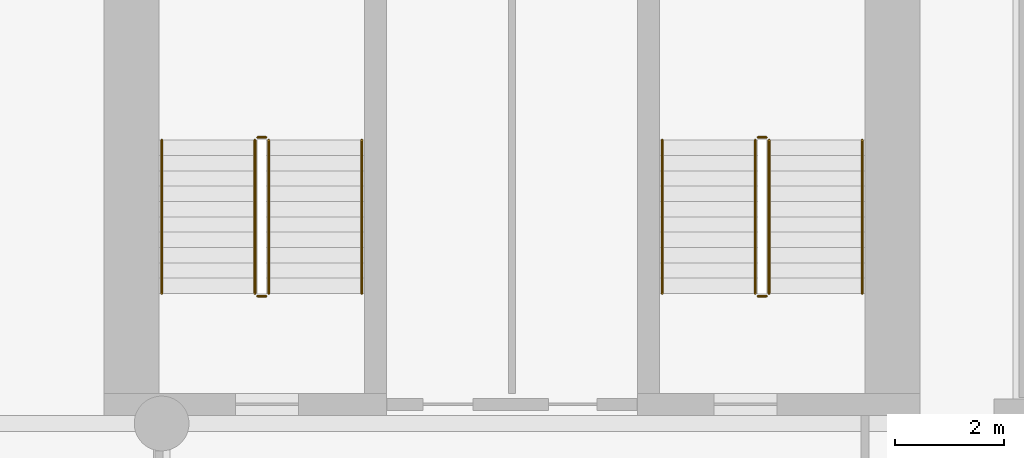
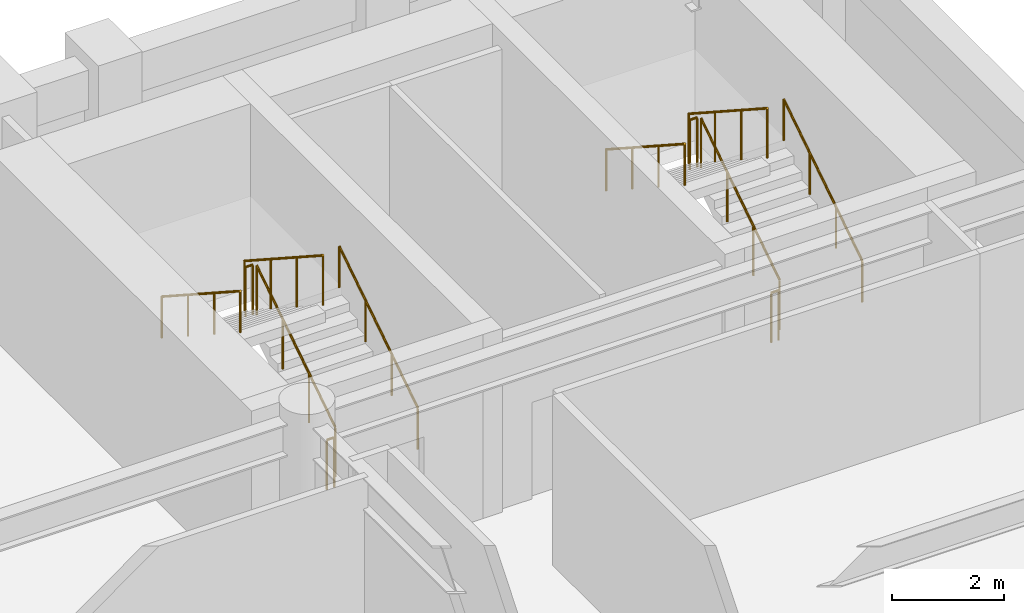
# One storey, part 10 of 10: 12 railings.
"""IFC4 building model written with IfcOpenShell, lengths in metres."""

from ifc_helpers import new_model, si_unit, direction, frame, origin, origin_2d, place, context, subcontext, project, spatial, circle, extrude, material, type_object, element, save


model = new_model("IFC4")

# Units and contexts
model_context = context("Model", 3, precision=1e-05, world=origin(), true_north=direction((0.0, 1.0)))
body_context = subcontext(model_context, "Body", "Model", "MODEL_VIEW")
ifc_project = project(units=[si_unit("LENGTHUNIT", "METRE"), si_unit("AREAUNIT", "SQUARE_METRE"), si_unit("VOLUMEUNIT", "CUBIC_METRE"), si_unit("PLANEANGLEUNIT", "RADIAN"), si_unit("MASSUNIT", "GRAM", prefix="KILO")], contexts=[model_context])

# Site, building, storey
site_placement = place(None, origin())
site = spatial("IfcSite", under=ifc_project, at=site_placement, CompositionType="ELEMENT")
building_placement = place(site_placement, origin())
building = spatial("IfcBuilding", under=site, at=building_placement, Name="Sulina Concourse Tower", CompositionType="ELEMENT")
storey_placement = place(building_placement, frame((0.0, 0.0, 54.60009765625)))
storey = spatial("IfcBuildingStorey", under=building, at=storey_placement, Name="L13", CompositionType="ELEMENT", Elevation=54.60009765625)

# Railings
ifc_material_1 = material(Name="Galvanised steel railing", Category="steel")
railing_type_1 = type_object("IfcRailingType", Name="Core Stair Steel Guardrail 1150mm", PredefinedType="GUARDRAIL", material=ifc_material_1)
railing_1_placement = place(storey_placement, frame((43.554931640625, 36.375, 0.181640625)))
element("IfcRailing", 1, at=railing_1_placement, inside=storey, type_object=railing_type_1, Name="L13 ST-3 stair guard 1", PredefinedType="GUARDRAIL", context=body_context, shape_type="SweptSolid", body=[
    extrude(circle(Radius=0.02392578125, at=origin_2d()), frame((0.0, 0.0, 1.076171875), z_axis=(0.0, 0.838672427954, 0.544636170843), x_axis=(-1.0, 0.0, 0.0)), (0.0, 0.0, 1.0), 3.338623046875),
    extrude(circle(Radius=0.02099609375, at=origin_2d()), origin(), (0.0, 0.0, 1.0), 1.052001953125),
    extrude(circle(Radius=0.02099609375, at=origin_2d()), frame((0.0, 0.933349609375, 0.606201171875)), (0.0, 0.0, 1.0), 1.052001953125),
    extrude(circle(Radius=0.02099609375, at=origin_2d()), frame((0.0, 1.86669921875, 1.212158203125)), (0.0, 0.0, 1.0), 1.052001953125),
    extrude(circle(Radius=0.02099609375, at=origin_2d()), frame((0.0, 2.800048828125, 1.818359375)), (0.0, 0.0, 1.0), 1.052001953125),
])
railing_2_placement = place(storey_placement, frame((43.5048828125, 39.22509765625, 2.0)))
element("IfcRailing", 2, at=railing_2_placement, inside=storey, type_object=railing_type_1, Name="L13 ST-3 stair guard 2", PredefinedType="GUARDRAIL", context=body_context, shape_type="SweptSolid", body=[
    extrude(circle(Radius=0.02392578125, at=origin_2d()), frame((0.0, 0.0, 1.076171875), z_axis=(-1.0, 0.0, 0.0), x_axis=(0.0, -1.0, 0.0)), (0.0, 0.0, 1.0), 0.14990234375),
    extrude(circle(Radius=0.02099609375, at=origin_2d()), origin(), (0.0, 0.0, 1.0), 1.052001953125),
    extrude(circle(Radius=0.02099609375, at=origin_2d()), frame((-0.14990234375, 0.0, 0.0)), (0.0, 0.0, 1.0), 1.052001953125),
])
railing_3_placement = place(storey_placement, frame((43.304931640625, 39.175048828125, 2.181640625)))
element("IfcRailing", 3, at=railing_3_placement, inside=storey, type_object=railing_type_1, Name="L13 ST-3 stair guard 3", PredefinedType="GUARDRAIL", context=body_context, shape_type="SweptSolid", body=[
    extrude(circle(Radius=0.02392578125, at=origin_2d()), frame((0.0, 0.0, 1.076171875), z_axis=(0.0, -0.838672427954, 0.544636170843), x_axis=(1.0, 0.0, 0.0)), (0.0, 0.0, 1.0), 3.338623046875),
    extrude(circle(Radius=0.02099609375, at=origin_2d()), origin(), (0.0, 0.0, 1.0), 1.052001953125),
    extrude(circle(Radius=0.02099609375, at=origin_2d()), frame((0.0, -0.933349609375, 0.606201171875)), (0.0, 0.0, 1.0), 1.052001953125),
    extrude(circle(Radius=0.02099609375, at=origin_2d()), frame((0.0, -1.86669921875, 1.212158203125)), (0.0, 0.0, 1.0), 1.052001953125),
    extrude(circle(Radius=0.02099609375, at=origin_2d()), frame((0.0, -2.800048828125, 1.818359375)), (0.0, 0.0, 1.0), 1.052001953125),
])
railing_4_placement = place(storey_placement, frame((43.5048828125, 36.324951171875, 0.0)))
element("IfcRailing", 4, at=railing_4_placement, inside=storey, type_object=railing_type_1, Name="L13 ST-3 stair guard 4", PredefinedType="GUARDRAIL", context=body_context, shape_type="SweptSolid", body=[
    extrude(circle(Radius=0.02392578125, at=origin_2d()), frame((0.0, 0.0, 1.076171875), z_axis=(-1.0, 0.0, 0.0), x_axis=(0.0, -1.0, 0.0)), (0.0, 0.0, 1.0), 0.14990234375),
    extrude(circle(Radius=0.02099609375, at=origin_2d()), origin(), (0.0, 0.0, 1.0), 1.052001953125),
    extrude(circle(Radius=0.02099609375, at=origin_2d()), frame((-0.14990234375, 0.0, 0.0)), (0.0, 0.0, 1.0), 1.052001953125),
])
railing_5_placement = place(storey_placement, frame((52.695068359375, 36.375, 0.181640625)))
element("IfcRailing", 5, at=railing_5_placement, inside=storey, type_object=railing_type_1, Name="L13 ST-4 stair guard 1", PredefinedType="GUARDRAIL", context=body_context, shape_type="SweptSolid", body=[
    extrude(circle(Radius=0.02392578125, at=origin_2d()), frame((0.0, 0.0, 1.076171875), z_axis=(0.0, 0.838672427954, 0.544636170843), x_axis=(-1.0, 0.0, 0.0)), (0.0, 0.0, 1.0), 3.338623046875),
    extrude(circle(Radius=0.02099609375, at=origin_2d()), origin(), (0.0, 0.0, 1.0), 1.052001953125),
    extrude(circle(Radius=0.02099609375, at=origin_2d()), frame((0.0, 0.933349609375, 0.606201171875)), (0.0, 0.0, 1.0), 1.052001953125),
    extrude(circle(Radius=0.02099609375, at=origin_2d()), frame((0.0, 1.86669921875, 1.212158203125)), (0.0, 0.0, 1.0), 1.052001953125),
    extrude(circle(Radius=0.02099609375, at=origin_2d()), frame((0.0, 2.800048828125, 1.818359375)), (0.0, 0.0, 1.0), 1.052001953125),
])
railing_6_placement = place(storey_placement, frame((52.64501953125, 39.22509765625, 2.0)))
element("IfcRailing", 6, at=railing_6_placement, inside=storey, type_object=railing_type_1, Name="L13 ST-4 stair guard 2", PredefinedType="GUARDRAIL", context=body_context, shape_type="SweptSolid", body=[
    extrude(circle(Radius=0.02392578125, at=origin_2d()), frame((0.0, 0.0, 1.076171875), z_axis=(-1.0, 0.0, 0.0), x_axis=(0.0, -1.0, 0.0)), (0.0, 0.0, 1.0), 0.14990234375),
    extrude(circle(Radius=0.02099609375, at=origin_2d()), origin(), (0.0, 0.0, 1.0), 1.052001953125),
    extrude(circle(Radius=0.02099609375, at=origin_2d()), frame((-0.14990234375, 0.0, 0.0)), (0.0, 0.0, 1.0), 1.052001953125),
])
railing_7_placement = place(storey_placement, frame((52.445068359375, 39.175048828125, 2.181640625)))
element("IfcRailing", 7, at=railing_7_placement, inside=storey, type_object=railing_type_1, Name="L13 ST-4 stair guard 3", PredefinedType="GUARDRAIL", context=body_context, shape_type="SweptSolid", body=[
    extrude(circle(Radius=0.02392578125, at=origin_2d()), frame((0.0, 0.0, 1.076171875), z_axis=(0.0, -0.838672427954, 0.544636170843), x_axis=(1.0, 0.0, 0.0)), (0.0, 0.0, 1.0), 3.338623046875),
    extrude(circle(Radius=0.02099609375, at=origin_2d()), origin(), (0.0, 0.0, 1.0), 1.052001953125),
    extrude(circle(Radius=0.02099609375, at=origin_2d()), frame((0.0, -0.933349609375, 0.606201171875)), (0.0, 0.0, 1.0), 1.052001953125),
    extrude(circle(Radius=0.02099609375, at=origin_2d()), frame((0.0, -1.86669921875, 1.212158203125)), (0.0, 0.0, 1.0), 1.052001953125),
    extrude(circle(Radius=0.02099609375, at=origin_2d()), frame((0.0, -2.800048828125, 1.818359375)), (0.0, 0.0, 1.0), 1.052001953125),
])
railing_8_placement = place(storey_placement, frame((52.64501953125, 36.324951171875, 0.0)))
element("IfcRailing", 8, at=railing_8_placement, inside=storey, type_object=railing_type_1, Name="L13 ST-4 stair guard 4", PredefinedType="GUARDRAIL", context=body_context, shape_type="SweptSolid", body=[
    extrude(circle(Radius=0.02392578125, at=origin_2d()), frame((0.0, 0.0, 1.076171875), z_axis=(-1.0, 0.0, 0.0), x_axis=(0.0, -1.0, 0.0)), (0.0, 0.0, 1.0), 0.14990234375),
    extrude(circle(Radius=0.02099609375, at=origin_2d()), origin(), (0.0, 0.0, 1.0), 1.052001953125),
    extrude(circle(Radius=0.02099609375, at=origin_2d()), frame((-0.14990234375, 0.0, 0.0)), (0.0, 0.0, 1.0), 1.052001953125),
])
ifc_material_2 = material(Name="Galvanised steel railing", Category="steel")
railing_type_2 = type_object("IfcRailingType", Name="Stair Wall Steel Handrail 920mm", PredefinedType="HANDRAIL", material=ifc_material_2)
railing_9_placement = place(storey_placement, frame((45.2548828125, 36.375, 0.181640625)))
element("IfcRailing", 9, at=railing_9_placement, inside=storey, type_object=railing_type_2, Name="L13 ST-3 stair handrail 1", PredefinedType="HANDRAIL", context=body_context, shape_type="SweptSolid", body=[
    extrude(circle(Radius=0.02392578125, at=origin_2d()), frame((0.0, 0.0, 0.89599609375), z_axis=(0.0, 0.838672427954, 0.544636170843), x_axis=(-1.0, 0.0, 0.0)), (0.0, 0.0, 1.0), 3.338623046875),
    extrude(circle(Radius=0.02099609375, at=origin_2d()), origin(), (0.0, 0.0, 1.0), 0.871826171875),
    extrude(circle(Radius=0.02099609375, at=origin_2d()), frame((0.0, 0.933349609375, 0.606201171875)), (0.0, 0.0, 1.0), 0.871826171875),
    extrude(circle(Radius=0.02099609375, at=origin_2d()), frame((0.0, 1.86669921875, 1.212158203125)), (0.0, 0.0, 1.0), 0.871826171875),
    extrude(circle(Radius=0.02099609375, at=origin_2d()), frame((0.0, 2.800048828125, 1.818359375)), (0.0, 0.0, 1.0), 0.871826171875),
])
railing_10_placement = place(storey_placement, frame((41.60498046875, 39.175048828125, 2.181640625)))
element("IfcRailing", 10, at=railing_10_placement, inside=storey, type_object=railing_type_2, Name="L13 ST-3 stair handrail 2", PredefinedType="HANDRAIL", context=body_context, shape_type="SweptSolid", body=[
    extrude(circle(Radius=0.02392578125, at=origin_2d()), frame((0.0, 0.0, 0.89599609375), z_axis=(0.0, -0.838672427954, 0.544636170843), x_axis=(1.0, 0.0, 0.0)), (0.0, 0.0, 1.0), 3.338623046875),
    extrude(circle(Radius=0.02099609375, at=origin_2d()), origin(), (0.0, 0.0, 1.0), 0.871826171875),
    extrude(circle(Radius=0.02099609375, at=origin_2d()), frame((0.0, -0.933349609375, 0.606201171875)), (0.0, 0.0, 1.0), 0.871826171875),
    extrude(circle(Radius=0.02099609375, at=origin_2d()), frame((0.0, -1.86669921875, 1.212158203125)), (0.0, 0.0, 1.0), 0.871826171875),
    extrude(circle(Radius=0.02099609375, at=origin_2d()), frame((0.0, -2.800048828125, 1.818359375)), (0.0, 0.0, 1.0), 0.871826171875),
])
railing_11_placement = place(storey_placement, frame((54.39501953125, 36.375, 0.181640625)))
element("IfcRailing", 11, at=railing_11_placement, inside=storey, type_object=railing_type_2, Name="L13 ST-4 stair handrail 1", PredefinedType="HANDRAIL", context=body_context, shape_type="SweptSolid", body=[
    extrude(circle(Radius=0.02392578125, at=origin_2d()), frame((0.0, 0.0, 0.89599609375), z_axis=(0.0, 0.838672427954, 0.544636170843), x_axis=(-1.0, 0.0, 0.0)), (0.0, 0.0, 1.0), 3.338623046875),
    extrude(circle(Radius=0.02099609375, at=origin_2d()), origin(), (0.0, 0.0, 1.0), 0.871826171875),
    extrude(circle(Radius=0.02099609375, at=origin_2d()), frame((0.0, 0.933349609375, 0.606201171875)), (0.0, 0.0, 1.0), 0.871826171875),
    extrude(circle(Radius=0.02099609375, at=origin_2d()), frame((0.0, 1.86669921875, 1.212158203125)), (0.0, 0.0, 1.0), 0.871826171875),
    extrude(circle(Radius=0.02099609375, at=origin_2d()), frame((0.0, 2.800048828125, 1.818359375)), (0.0, 0.0, 1.0), 0.871826171875),
])
railing_12_placement = place(storey_placement, frame((50.7451171875, 39.175048828125, 2.181640625)))
element("IfcRailing", 12, at=railing_12_placement, inside=storey, type_object=railing_type_2, Name="L13 ST-4 stair handrail 2", PredefinedType="HANDRAIL", context=body_context, shape_type="SweptSolid", body=[
    extrude(circle(Radius=0.02392578125, at=origin_2d()), frame((0.0, 0.0, 0.89599609375), z_axis=(0.0, -0.838672427954, 0.544636170843), x_axis=(1.0, 0.0, 0.0)), (0.0, 0.0, 1.0), 3.338623046875),
    extrude(circle(Radius=0.02099609375, at=origin_2d()), origin(), (0.0, 0.0, 1.0), 0.871826171875),
    extrude(circle(Radius=0.02099609375, at=origin_2d()), frame((0.0, -0.933349609375, 0.606201171875)), (0.0, 0.0, 1.0), 0.871826171875),
    extrude(circle(Radius=0.02099609375, at=origin_2d()), frame((0.0, -1.86669921875, 1.212158203125)), (0.0, 0.0, 1.0), 0.871826171875),
    extrude(circle(Radius=0.02099609375, at=origin_2d()), frame((0.0, -2.800048828125, 1.818359375)), (0.0, 0.0, 1.0), 0.871826171875),
])

save(model, "model.ifc")
